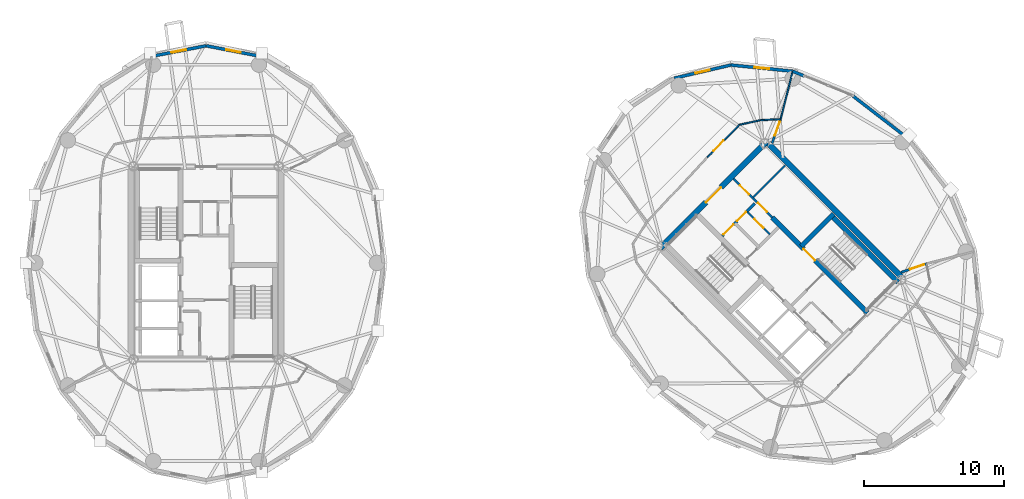
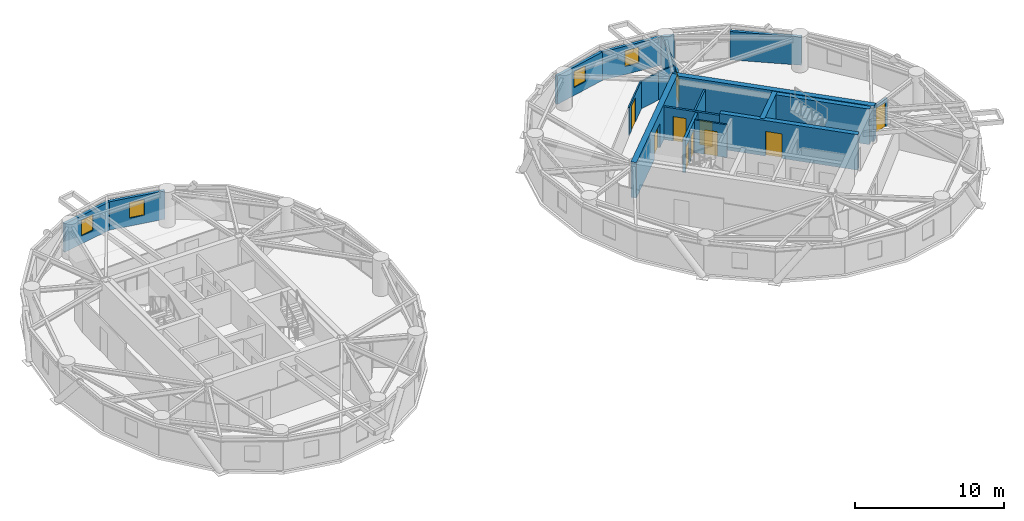
# One storey, part 11 of 14: 21 walls, 10 doors, 4 windows, 14 openings.
"""IFC4 building model written with IfcOpenShell, lengths in metres."""

from ifc_helpers import new_model, si_unit, direction, frame, frame_2d, origin, place, context, subcontext, project, spatial, rectangle, extrude, source, transform, mapped, material, layer, layer_set, type_object, element, fill, save


model = new_model("IFC4")

# Units and contexts
model_context = context("Model", 3, precision=1e-05, world=origin(), true_north=direction((0.0, 1.0)))
body_context = subcontext(model_context, "Body", "Model", "MODEL_VIEW")
ifc_project = project(units=[si_unit("LENGTHUNIT", "METRE"), si_unit("AREAUNIT", "SQUARE_METRE"), si_unit("VOLUMEUNIT", "CUBIC_METRE"), si_unit("PLANEANGLEUNIT", "RADIAN"), si_unit("MASSUNIT", "GRAM", prefix="KILO")], contexts=[model_context])

# Site, building, storey
site_placement = place(None, origin())
site = spatial("IfcSite", under=ifc_project, at=site_placement, CompositionType="ELEMENT")
building_placement = place(site_placement, origin())
building = spatial("IfcBuilding", under=site, at=building_placement, Name="Cununo Teusaquillo Station Towers", CompositionType="ELEMENT")
storey_placement = place(building_placement, frame((0.0, 0.0, 202.47998046875)))
storey = spatial("IfcBuildingStorey", under=building, at=storey_placement, Name="L64", CompositionType="ELEMENT", Elevation=202.47998046875)

# Wall, opening, door
ifc_material_1 = material(Name="Concrete C50/60", Category="concrete")
ifc_layer_1 = layer(ifc_material_1, 0.35009765625)
ifc_layer_set_1 = layer_set([ifc_layer_1], Name="Concrete C50/60")
wall_type_1 = type_object("IfcWallType", Name="WL-CORE-350", PredefinedType="SHEAR", material=ifc_layer_set_1)
wall_1_placement = place(storey_placement, frame((63.627197265625, 20.939697265625, 0.0), z_axis=(0.0, 0.0, 1.0), x_axis=(-0.707119496762, 0.707094065383, 0.0)))
wall_1 = element("IfcWall", 1, at=wall_1_placement, inside=storey, type_object=wall_type_1, Name="L64 Tower B Core Shear Wall IE", PredefinedType="SHEAR", context=body_context, shape_type="SweptSolid", body=[
    extrude(rectangle(XDim=9.60009765625, YDim=0.35009765625, at=frame_2d((4.800048828125, 0.0))), origin(), (0.0, 0.0, 1.0), 2.909912109375),
])
shared_shape_1 = source(origin(), body_context, "Body", "SweptSolid", [
    extrude(rectangle(XDim=1.14990234375, YDim=2.02001953125, at=frame_2d((0.574951171875, 1.010009765625))), frame((0.0, 0.18505859375, 0.0), z_axis=(0.0, -1.0, 0.0), x_axis=(1.0, 0.0, 0.0)), (0.0, 0.0, 1.0), 0.3701171875),
])
opening_1_placement = place(wall_1_placement, frame((5.280029296875, 0.0, 0.0)))
opening_1 = element("IfcOpeningElement", 2, at=opening_1_placement, cuts=wall_1, Name="Opening D-ST1", PredefinedType="OPENING", context=body_context, shape_type="MappedRepresentation", body=[
    mapped(shared_shape_1, transform((0.0, 0.0, 0.0), x_axis=(1.0, 0.0, 0.0), y_axis=(0.0, 1.0, 0.0), z_axis=(0.0, 0.0, 1.0), scale=1.0)),
])
ifc_material_2 = material(Name="Galvanised fire-rated hollow steel door assembly", Category="steel")
door_type_1 = type_object("IfcDoorType", Name="DR-STAIR-1150", OperationType="NOTDEFINED", PredefinedType="DOOR", material=ifc_material_2)
shared_shape_2 = source(origin(), body_context, "Body", "SweptSolid", [
    extrude(rectangle(XDim=1.14990234375, YDim=2.02001953125, at=frame_2d((0.574951171875, 1.010009765625))), frame((0.0, 0.02490234375, 0.0), z_axis=(0.0, -1.0, 0.0), x_axis=(1.0, 0.0, 0.0)), (0.0, 0.0, 1.0), 0.050048828125),
])
door_1_placement = place(opening_1_placement, origin())
door_1 = element("IfcDoor", 3, at=door_1_placement, inside=storey, type_object=door_type_1, Name="L64 Tower B Exit Stair 2 Fire Door", OperationType="SINGLE_SWING_RIGHT", OverallHeight=2.02001953125, OverallWidth=1.14990234375, PredefinedType="DOOR", context=body_context, shape_type="MappedRepresentation", body=[
    mapped(shared_shape_2, transform((0.0, 0.0, 0.0), x_axis=(1.0, 0.0, 0.0), y_axis=(0.0, 1.0, 0.0), z_axis=(0.0, 0.0, 1.0), scale=1.0)),
])
fill(opening_1, door_1)

# Walls
wall_2_placement = place(storey_placement, frame((65.81201171875, 23.124755859375, 0.0), z_axis=(0.0, 0.0, 1.0), x_axis=(-0.707106781187, 0.707106781187, 0.0)))
element("IfcWall", 4, at=wall_2_placement, inside=storey, type_object=wall_type_1, Name="L64 Tower B Core Shear Wall ST2E", PredefinedType="SHEAR", context=body_context, shape_type="SweptSolid", body=[
    extrude(rectangle(XDim=6.695068359375, YDim=0.35009765625, at=frame_2d((3.34765625, 0.0))), origin(), (0.0, 0.0, 1.0), 2.909912109375),
])
wall_3_placement = place(storey_placement, frame((58.89306640625, 25.673828125, 0.0), z_axis=(0.0, 0.0, 1.0), x_axis=(0.707106781187, 0.707106781187, 0.0)))
element("IfcWall", 5, at=wall_3_placement, inside=storey, type_object=wall_type_1, Name="L64 Tower B Core Shear Wall ST2N", PredefinedType="SHEAR", context=body_context, shape_type="SweptSolid", body=[
    extrude(rectangle(XDim=3.284912109375, YDim=0.35009765625, at=frame_2d((1.642578125, 0.0))), origin(), (0.0, 0.0, 1.0), 2.909912109375),
])
ifc_material_3 = material(Name="Concrete C50/60", Category="concrete")
ifc_layer_2 = layer(ifc_material_3, 0.39990234375)
ifc_layer_set_2 = layer_set([ifc_layer_2], Name="Concrete C50/60")
wall_type_2 = type_object("IfcWallType", Name="WL-CORE-400", PredefinedType="SHEAR", material=ifc_layer_set_2)
wall_4_placement = place(storey_placement, frame((66.26806640625, 23.2978515625, 0.0), z_axis=(0.0, 0.0, 1.0), x_axis=(-0.707106781187, 0.707106781187, 0.0)))
element("IfcWall", 6, at=wall_4_placement, inside=storey, type_object=wall_type_2, Name="L64 Tower B Core Shear Wall E", PredefinedType="SHEAR", context=body_context, shape_type="SweptSolid", body=[
    extrude(rectangle(XDim=14.10009765625, YDim=0.39990234375, at=frame_2d((7.050048828125, 0.0))), origin(), (0.0, 0.0, 1.0), 2.909912109375),
])

# Wall, opening, door
wall_5_placement = place(storey_placement, frame((48.873291015625, 25.560791015625, 0.0), z_axis=(0.0, 0.0, 1.0), x_axis=(0.707106781187, 0.707106781187, 0.0)))
wall_5 = element("IfcWall", 7, at=wall_5_placement, inside=storey, type_object=wall_type_2, Name="L64 Tower B Core Shear Wall N", PredefinedType="SHEAR", context=body_context, shape_type="SweptSolid", body=[
    extrude(rectangle(XDim=10.69970703125, YDim=0.39990234375, at=frame_2d((5.349853515625, 0.0))), origin(), (0.0, 0.0, 1.0), 2.909912109375),
])
shared_shape_3 = source(origin(), body_context, "Body", "SweptSolid", [
    extrude(rectangle(XDim=1.5, YDim=2.02001953125, at=frame_2d((0.75, 1.010009765625))), frame((0.0, 0.2099609375, 0.0), z_axis=(0.0, -1.0, 0.0), x_axis=(1.0, 0.0, 0.0)), (0.0, 0.0, 1.0), 0.419921875),
])
opening_2_placement = place(wall_5_placement, frame((4.60009765625, 0.0, 0.0)))
opening_2 = element("IfcOpeningElement", 8, at=opening_2_placement, cuts=wall_5, Name="Opening D-LB1", PredefinedType="OPENING", context=body_context, shape_type="MappedRepresentation", body=[
    mapped(shared_shape_3, transform((0.0, 0.0, 0.0), x_axis=(1.0, 0.0, 0.0), y_axis=(0.0, 1.0, 0.0), z_axis=(0.0, 0.0, 1.0), scale=1.0)),
])
ifc_material_4 = material(Name="Galvanised fire-rated hollow steel door assembly", Category="steel")
door_type_2 = type_object("IfcDoorType", Name="DR-LOBBY-1500", OperationType="DOUBLE_DOOR_SINGLE_SWING", PredefinedType="DOOR", material=ifc_material_4)
shared_shape_4 = source(origin(), body_context, "Body", "SweptSolid", [
    extrude(rectangle(XDim=1.5, YDim=2.02001953125, at=frame_2d((0.75, 1.010009765625))), frame((0.0, 0.02490234375, 0.0), z_axis=(0.0, -1.0, 0.0), x_axis=(1.0, 0.0, 0.0)), (0.0, 0.0, 1.0), 0.050048828125),
])
door_2_placement = place(opening_2_placement, origin())
door_2 = element("IfcDoor", 9, at=door_2_placement, inside=storey, type_object=door_type_2, Name="L64 Tower B North Core Lift Lobby Door", OperationType="DOUBLE_DOOR_SINGLE_SWING", OverallHeight=2.02001953125, OverallWidth=1.5, PredefinedType="DOOR", context=body_context, shape_type="MappedRepresentation", body=[
    mapped(shared_shape_4, transform((0.0, 0.0, 0.0), x_axis=(1.0, 0.0, 0.0), y_axis=(0.0, 1.0, 0.0), z_axis=(0.0, 0.0, 1.0), scale=1.0)),
])
fill(opening_2, door_2)

# Wall, opening, window
ifc_material_5 = material(Name="Precast concrete C40/50", Category="concrete")
ifc_layer_3 = layer(ifc_material_5, 0.219970703125)
ifc_layer_set_3 = layer_set([ifc_layer_3], Name="Precast concrete C40/50")
wall_type_3 = type_object("IfcWallType", Name="WL-EXT-220", PredefinedType="SOLIDWALL", material=ifc_layer_set_3)
wall_6_placement = place(storey_placement, frame((16.5, 39.969970703125, 0.0), z_axis=(0.0, 0.0, 1.0), x_axis=(0.981700307484, -0.190432419211, 0.0)))
wall_6 = element("IfcWall", 10, at=wall_6_placement, inside=storey, type_object=wall_type_3, Name="L64 Tower A Exterior Facade Wall C04", PredefinedType="SOLIDWALL", context=body_context, shape_type="SweptSolid", body=[
    extrude(rectangle(XDim=3.9755859375, YDim=0.219970703125, at=frame_2d((1.98779296875, 0.0))), origin(), (0.0, 0.0, 1.0), 2.322021484375),
])
shared_shape_5 = source(origin(), body_context, "Body", "SweptSolid", [
    extrude(rectangle(XDim=1.050048828125, YDim=1.300048828125, at=frame_2d((0.52490234375, 0.64990234375))), frame((0.0, 0.119873046875, 0.0), z_axis=(0.0, -1.0, 0.0), x_axis=(1.0, 0.0, 0.0)), (0.0, 0.0, 1.0), 0.239990234375),
])
opening_3_placement = place(wall_6_placement, frame((1.462890625, 0.0, 0.64990234375)))
opening_3 = element("IfcOpeningElement", 11, at=opening_3_placement, cuts=wall_6, Name="Opening WN-04", PredefinedType="OPENING", context=body_context, shape_type="MappedRepresentation", body=[
    mapped(shared_shape_5, transform((0.0, 0.0, 0.0), x_axis=(1.0, 0.0, 0.0), y_axis=(0.0, 1.0, 0.0), z_axis=(0.0, 0.0, 1.0), scale=1.0)),
])
ifc_material_6 = material(Name="Operable acoustic tinted low-E double glazing", Category="glass")
window_type = type_object("IfcWindowType", Name="WIN-BAL-1050", PartitioningType="SINGLE_PANEL", PredefinedType="WINDOW", material=ifc_material_6)
shared_shape_6 = source(origin(), body_context, "Body", "SweptSolid", [
    extrude(rectangle(XDim=1.050048828125, YDim=1.300048828125, at=frame_2d((0.52490234375, 0.64990234375))), frame((0.0, 0.030029296875, 0.0), z_axis=(0.0, -1.0, 0.0), x_axis=(1.0, 0.0, 0.0)), (0.0, 0.0, 1.0), 0.06005859375),
])
window_1_placement = place(opening_3_placement, origin())
window_1 = element("IfcWindow", 12, at=window_1_placement, inside=storey, type_object=window_type, Name="L64 Tower A Facade Window C04", OverallHeight=1.300048828125, OverallWidth=1.050048828125, PartitioningType="SINGLE_PANEL", PredefinedType="WINDOW", context=body_context, shape_type="MappedRepresentation", body=[
    mapped(shared_shape_6, transform((0.0, 0.0, 0.0), x_axis=(1.0, 0.0, 0.0), y_axis=(0.0, 1.0, 0.0), z_axis=(0.0, 0.0, 1.0), scale=1.0)),
])
fill(opening_3, window_1)

wall_7_placement = place(storey_placement, frame((12.59716796875, 39.212890625, 0.0), z_axis=(0.0, 0.0, 1.0), x_axis=(0.981700307484, 0.190432419211, 0.0)))
wall_7 = element("IfcWall", 13, at=wall_7_placement, inside=storey, type_object=wall_type_3, Name="L64 Tower A Exterior Facade Wall C05", PredefinedType="SOLIDWALL", context=body_context, shape_type="SweptSolid", body=[
    extrude(rectangle(XDim=3.9755859375, YDim=0.219970703125, at=frame_2d((1.98779296875, 0.0))), origin(), (0.0, 0.0, 1.0), 2.322021484375),
])
opening_4_placement = place(wall_7_placement, frame((1.462890625, 0.0, 0.64990234375)))
opening_4 = element("IfcOpeningElement", 14, at=opening_4_placement, cuts=wall_7, Name="Opening WN-04", PredefinedType="OPENING", context=body_context, shape_type="MappedRepresentation", body=[
    mapped(shared_shape_5, transform((0.0, 0.0, 0.0), x_axis=(1.0, 0.0, 0.0), y_axis=(0.0, 1.0, 0.0), z_axis=(0.0, 0.0, 1.0), scale=1.0)),
])
window_2_placement = place(opening_4_placement, origin())
window_2 = element("IfcWindow", 15, at=window_2_placement, inside=storey, type_object=window_type, Name="L64 Tower A Facade Window C05", OverallHeight=1.300048828125, OverallWidth=1.050048828125, PartitioningType="SINGLE_PANEL", PredefinedType="WINDOW", context=body_context, shape_type="MappedRepresentation", body=[
    mapped(shared_shape_6, transform((0.0, 0.0, 0.0), x_axis=(1.0, 0.0, 0.0), y_axis=(0.0, 1.0, 0.0), z_axis=(0.0, 0.0, 1.0), scale=1.0)),
])
fill(opening_4, window_2)

# Walls
wall_8_placement = place(storey_placement, frame((62.61328125, 36.373779296875, 0.0), z_axis=(0.0, 0.0, 1.0), x_axis=(0.791998462147, -0.610523083886, 0.0)))
element("IfcWall", 16, at=wall_8_placement, inside=storey, type_object=wall_type_3, Name="L64 Tower B Exterior Facade Wall C00", PredefinedType="SOLIDWALL", context=body_context, shape_type="SweptSolid", body=[
    extrude(rectangle(XDim=4.8203125, YDim=0.219970703125, at=frame_2d((2.41015625, 0.0))), origin(), (0.0, 0.0, 1.0), 2.322021484375),
])
wall_9_placement = place(storey_placement, frame((58.29541015625, 38.15478515625, 0.0), z_axis=(0.0, 0.0, 1.0), x_axis=(0.924515260676, -0.381145028536, 0.0)))
element("IfcWall", 17, at=wall_9_placement, inside=storey, type_object=wall_type_3, Name="L64 Tower B Column Pier Cladding Wall C01-PA", PredefinedType="SOLIDWALL", context=body_context, shape_type="SweptSolid", body=[
    extrude(rectangle(XDim=0.869873046875, YDim=0.219970703125, at=frame_2d((0.43505859375, 0.0))), origin(), (0.0, 0.0, 1.0), 2.322021484375),
])

# Wall, opening, window
wall_10_placement = place(storey_placement, frame((53.899658203125, 38.59912109375, 0.0), z_axis=(0.0, 0.0, 1.0), x_axis=(0.994929930991, -0.100570534541, 0.0)))
wall_10 = element("IfcWall", 18, at=wall_10_placement, inside=storey, type_object=wall_type_3, Name="L64 Tower B Exterior Facade Wall C02", PredefinedType="SOLIDWALL", context=body_context, shape_type="SweptSolid", body=[
    extrude(rectangle(XDim=4.418212890625, YDim=0.219970703125, at=frame_2d((2.208984375, 0.0))), origin(), (0.0, 0.0, 1.0), 2.322021484375),
])
opening_5_placement = place(wall_10_placement, frame((1.68408203125, 0.0, 0.64990234375)))
opening_5 = element("IfcOpeningElement", 19, at=opening_5_placement, cuts=wall_10, Name="Opening WN-04", PredefinedType="OPENING", context=body_context, shape_type="MappedRepresentation", body=[
    mapped(shared_shape_5, transform((0.0, 0.0, 0.0), x_axis=(1.0, 0.0, 0.0), y_axis=(0.0, 1.0, 0.0), z_axis=(0.0, 0.0, 1.0), scale=1.0)),
])
window_3_placement = place(opening_5_placement, origin())
window_3 = element("IfcWindow", 20, at=window_3_placement, inside=storey, type_object=window_type, Name="L64 Tower B Facade Window C02", OverallHeight=1.300048828125, OverallWidth=1.050048828125, PartitioningType="SINGLE_PANEL", PredefinedType="WINDOW", context=body_context, shape_type="MappedRepresentation", body=[
    mapped(shared_shape_6, transform((0.0, 0.0, 0.0), x_axis=(1.0, 0.0, 0.0), y_axis=(0.0, 1.0, 0.0), z_axis=(0.0, 0.0, 1.0), scale=1.0)),
])
fill(opening_5, window_3)

wall_11_placement = place(storey_placement, frame((49.856201171875, 37.663330078125, 0.0), z_axis=(0.0, 0.0, 1.0), x_axis=(0.974249228678, 0.225473813158, 0.0)))
wall_11 = element("IfcWall", 21, at=wall_11_placement, inside=storey, type_object=wall_type_3, Name="L64 Tower B Exterior Facade Wall C03", PredefinedType="SOLIDWALL", context=body_context, shape_type="SweptSolid", body=[
    extrude(rectangle(XDim=4.150390625, YDim=0.219970703125, at=frame_2d((2.0751953125, 0.0))), origin(), (0.0, 0.0, 1.0), 2.322021484375),
])
opening_6_placement = place(wall_11_placement, frame((1.550048828125, 0.0, 0.64990234375)))
opening_6 = element("IfcOpeningElement", 22, at=opening_6_placement, cuts=wall_11, Name="Opening WN-04", PredefinedType="OPENING", context=body_context, shape_type="MappedRepresentation", body=[
    mapped(shared_shape_5, transform((0.0, 0.0, 0.0), x_axis=(1.0, 0.0, 0.0), y_axis=(0.0, 1.0, 0.0), z_axis=(0.0, 0.0, 1.0), scale=1.0)),
])
window_4_placement = place(opening_6_placement, origin())
window_4 = element("IfcWindow", 23, at=window_4_placement, inside=storey, type_object=window_type, Name="L64 Tower B Facade Window C03", OverallHeight=1.300048828125, OverallWidth=1.050048828125, PartitioningType="SINGLE_PANEL", PredefinedType="WINDOW", context=body_context, shape_type="MappedRepresentation", body=[
    mapped(shared_shape_6, transform((0.0, 0.0, 0.0), x_axis=(1.0, 0.0, 0.0), y_axis=(0.0, 1.0, 0.0), z_axis=(0.0, 0.0, 1.0), scale=1.0)),
])
fill(opening_6, window_4)

# Walls
ifc_material_7 = material(Name="Fire-rated gypsum plasterboard partition assembly", Category="gypsum")
ifc_layer_4 = layer(ifc_material_7, 0.10009765625)
ifc_layer_set_4 = layer_set([ifc_layer_4], Name="Fire-rated gypsum plasterboard partition assembly")
wall_type_4 = type_object("IfcWallType", Name="WL-PART-100", PredefinedType="MOVABLE", material=ifc_layer_set_4)
wall_12_placement = place(storey_placement, frame((57.4404296875, 34.743896484375, 0.0), z_axis=(0.0, 0.0, 1.0), x_axis=(-0.998578025565, -0.053309725738, 0.0)))
element("IfcWall", 24, at=wall_12_placement, inside=storey, type_object=wall_type_4, Name="L64 Tower B Corridor Ring Wall C02", PredefinedType="MOVABLE", context=body_context, shape_type="SweptSolid", body=[
    extrude(rectangle(XDim=1.433349609375, YDim=0.10009765625, at=frame_2d((0.716796875, 0.0))), origin(), (0.0, 0.0, 1.0), 2.322021484375),
])
wall_13_placement = place(storey_placement, frame((56.009033203125, 34.66748046875, 0.0), z_axis=(0.0, 0.0, 1.0), x_axis=(-0.977625498152, -0.210353001795, 0.0)))
element("IfcWall", 25, at=wall_13_placement, inside=storey, type_object=wall_type_4, Name="L64 Tower B Corridor Ring Wall C03", PredefinedType="MOVABLE", context=body_context, shape_type="SweptSolid", body=[
    extrude(rectangle(XDim=1.537841796875, YDim=0.10009765625, at=frame_2d((0.76904296875, 0.0))), origin(), (0.0, 0.0, 1.0), 2.255126953125),
])

# Wall, opening, door
wall_14_placement = place(storey_placement, frame((54.505615234375, 34.343994140625, 0.0), z_axis=(0.0, 0.0, 1.0), x_axis=(-0.703053402247, -0.711137056824, 0.0)))
wall_14 = element("IfcWall", 26, at=wall_14_placement, inside=storey, type_object=wall_type_4, Name="L64 Tower B Corridor Ring Wall C04", PredefinedType="MOVABLE", context=body_context, shape_type="SweptSolid", body=[
    extrude(rectangle(XDim=3.26171875, YDim=0.10009765625, at=frame_2d((1.630859375, 0.0))), origin(), (0.0, 0.0, 1.0), 2.322021484375),
])
shared_shape_7 = source(origin(), body_context, "Body", "SweptSolid", [
    extrude(rectangle(XDim=1.050048828125, YDim=2.014892578125, at=frame_2d((0.52490234375, 1.00732421875))), frame((0.0, 0.06005859375, 0.0), z_axis=(0.0, -1.0, 0.0), x_axis=(1.0, 0.0, 0.0)), (0.0, 0.0, 1.0), 0.1201171875),
])
opening_7_placement = place(wall_14_placement, frame((1.598876953125, 0.0, 0.0)))
opening_7 = element("IfcOpeningElement", 27, at=opening_7_placement, cuts=wall_14, Name="Opening D-SU1", PredefinedType="OPENING", context=body_context, shape_type="MappedRepresentation", body=[
    mapped(shared_shape_7, transform((0.0, 0.0, 0.0), x_axis=(1.0, 0.0, 0.0), y_axis=(0.0, 1.0, 0.0), z_axis=(0.0, 0.0, 1.0), scale=1.0)),
])
ifc_material_8 = material(Name="Acoustic solid-core hardwood leaf assembly", Category="wood")
door_type_3 = type_object("IfcDoorType", Name="DR-SUITE-1050", OperationType="NOTDEFINED", PredefinedType="DOOR", material=ifc_material_8)
shared_shape_8 = source(origin(), body_context, "Body", "SweptSolid", [
    extrude(rectangle(XDim=1.050048828125, YDim=2.014892578125, at=frame_2d((0.52490234375, 1.00732421875))), frame((0.0, 0.02490234375, 0.0), z_axis=(0.0, -1.0, 0.0), x_axis=(1.0, 0.0, 0.0)), (0.0, 0.0, 1.0), 0.050048828125),
])
door_3_placement = place(opening_7_placement, origin())
door_3 = element("IfcDoor", 28, at=door_3_placement, inside=storey, type_object=door_type_3, Name="L64 Tower B Family Office Investment Landscape Hall Entrance Door", OperationType="SINGLE_SWING_RIGHT", OverallHeight=2.014892578125, OverallWidth=1.050048828125, PredefinedType="DOOR", context=body_context, shape_type="MappedRepresentation", body=[
    mapped(shared_shape_8, transform((0.0, 0.0, 0.0), x_axis=(1.0, 0.0, 0.0), y_axis=(0.0, 1.0, 0.0), z_axis=(0.0, 0.0, 1.0), scale=1.0)),
])
fill(opening_7, door_3)

# Wall
wall_15_placement = place(storey_placement, frame((57.4404296875, 34.743896484375, 0.0), z_axis=(0.0, 0.0, 1.0), x_axis=(0.243619816457, 0.969870808422, 0.0)))
element("IfcWall", 29, at=wall_15_placement, inside=storey, type_object=wall_type_4, Name="L64 Tower B Radial Suite Partition R01", PredefinedType="MOVABLE", context=body_context, shape_type="SweptSolid", body=[
    extrude(rectangle(XDim=3.496337890625, YDim=0.10009765625, at=frame_2d((1.748046875, 0.0))), origin(), (0.0, 0.0, 1.0), 2.322021484375),
])

# Wall, opening, door
ifc_material_9 = material(Name="Fire-rated gypsum plasterboard partition assembly", Category="gypsum")
ifc_layer_5 = layer(ifc_material_9, 0.125)
ifc_layer_set_5 = layer_set([ifc_layer_5], Name="Fire-rated gypsum plasterboard partition assembly")
wall_type_5 = type_object("IfcWallType", Name="WL-PART-125", PredefinedType="PARTITIONING", material=ifc_layer_set_5)
wall_16_placement = place(storey_placement, frame((56.672607421875, 26.529296875, 0.0), z_axis=(0.0, 0.0, 1.0), x_axis=(-0.707052764397, 0.70716079385, 0.0)))
wall_16 = element("IfcWall", 30, at=wall_16_placement, inside=storey, type_object=wall_type_5, Name="L64 Tower B Core Vertical Split Wall", PredefinedType="PARTITIONING", context=body_context, shape_type="SweptSolid", body=[
    extrude(rectangle(XDim=2.260009765625, YDim=0.125, at=frame_2d((1.1298828125, 0.0))), origin(), (0.0, 0.0, 1.0), 2.68505859375),
])
shared_shape_9 = source(origin(), body_context, "Body", "SweptSolid", [
    extrude(rectangle(XDim=0.89990234375, YDim=2.0048828125, at=frame_2d((0.449951171875, 1.00244140625))), frame((0.0, 0.072509765625, 0.0), z_axis=(0.0, -1.0, 0.0), x_axis=(1.0, 0.0, 0.0)), (0.0, 0.0, 1.0), 0.14501953125),
])
opening_8_placement = place(wall_16_placement, frame((0.64990234375, 0.0, 0.0)))
opening_8 = element("IfcOpeningElement", 31, at=opening_8_placement, cuts=wall_16, Name="Opening D-SR1", PredefinedType="OPENING", context=body_context, shape_type="MappedRepresentation", body=[
    mapped(shared_shape_9, transform((0.0, 0.0, 0.0), x_axis=(1.0, 0.0, 0.0), y_axis=(0.0, 1.0, 0.0), z_axis=(0.0, 0.0, 1.0), scale=1.0)),
])
ifc_material_10 = material(Name="Galvanised fire-rated hollow steel door assembly", Category="steel")
door_type_4 = type_object("IfcDoorType", Name="DR-STORE-900", OperationType="NOTDEFINED", PredefinedType="DOOR", material=ifc_material_10)
shared_shape_10 = source(origin(), body_context, "Body", "SweptSolid", [
    extrude(rectangle(XDim=0.89990234375, YDim=2.0048828125, at=frame_2d((0.449951171875, 1.00244140625))), frame((0.0, 0.02490234375, 0.0), z_axis=(0.0, -1.0, 0.0), x_axis=(1.0, 0.0, 0.0)), (0.0, 0.0, 1.0), 0.050048828125),
])
door_4_placement = place(opening_8_placement, origin())
door_4 = element("IfcDoor", 32, at=door_4_placement, inside=storey, type_object=door_type_4, Name="L64 Tower B Core Electrical Room Door", OperationType="SINGLE_SWING_LEFT", OverallHeight=2.0048828125, OverallWidth=0.89990234375, PredefinedType="DOOR", context=body_context, shape_type="MappedRepresentation", body=[
    mapped(shared_shape_10, transform((0.0, 0.0, 0.0), x_axis=(1.0, 0.0, 0.0), y_axis=(0.0, 1.0, 0.0), z_axis=(0.0, 0.0, 1.0), scale=1.0)),
])
fill(opening_8, door_4)

# Wall
wall_17_placement = place(storey_placement, frame((55.49169921875, 29.1669921875, 0.0), z_axis=(0.0, 0.0, 1.0), x_axis=(0.707144688645, 0.707068871696, 0.0)))
element("IfcWall", 33, at=wall_17_placement, inside=storey, type_object=wall_type_5, Name="L64 Tower B Reclaimed Bay Divider Wall", PredefinedType="PARTITIONING", context=body_context, shape_type="SweptSolid", body=[
    extrude(rectangle(XDim=3.22021484375, YDim=0.125, at=frame_2d((1.610107421875, 0.0))), origin(), (0.0, 0.0, 1.0), 2.221923828125),
])

# Wall, openings, doors
ifc_material_11 = material(Name="Fire-rated gypsum plasterboard partition assembly", Category="gypsum")
ifc_layer_6 = layer(ifc_material_11, 0.159912109375)
ifc_layer_set_6 = layer_set([ifc_layer_6], Name="Fire-rated gypsum plasterboard partition assembly")
wall_type_6 = type_object("IfcWallType", Name="WL-PART-160", PredefinedType="PARTITIONING", material=ifc_layer_set_6)
wall_18_placement = place(storey_placement, frame((56.8388671875, 27.727783203125, 0.0), z_axis=(0.0, 0.0, 1.0), x_axis=(-0.707106781187, 0.707106781187, 0.0)))
wall_18 = element("IfcWall", 34, at=wall_18_placement, inside=storey, type_object=wall_type_6, Name="L64 Tower B Reclaimed Core Bay Entry Wall", PredefinedType="PARTITIONING", context=body_context, shape_type="SweptSolid", body=[
    extrude(rectangle(XDim=3.900146484375, YDim=0.159912109375, at=frame_2d((1.9501953125, 0.0))), origin(), (0.0, 0.0, 1.0), 2.68505859375),
])
shared_shape_11 = source(origin(), body_context, "Body", "SweptSolid", [
    extrude(rectangle(XDim=0.89990234375, YDim=2.0048828125, at=frame_2d((0.449951171875, 1.00244140625))), frame((0.0, 0.08984375, 0.0), z_axis=(0.0, -1.0, 0.0), x_axis=(1.0, 0.0, 0.0)), (0.0, 0.0, 1.0), 0.179931640625),
])
opening_9_placement = place(wall_18_placement, frame((0.550048828125, 0.0, 0.0)))
opening_9 = element("IfcOpeningElement", 35, at=opening_9_placement, cuts=wall_18, Name="Opening D-IN1", PredefinedType="OPENING", context=body_context, shape_type="MappedRepresentation", body=[
    mapped(shared_shape_11, transform((0.0, 0.0, 0.0), x_axis=(1.0, 0.0, 0.0), y_axis=(0.0, 1.0, 0.0), z_axis=(0.0, 0.0, 1.0), scale=1.0)),
])
opening_10_placement = place(wall_18_placement, frame((2.35009765625, 0.0, 0.0)))
opening_10 = element("IfcOpeningElement", 36, at=opening_10_placement, cuts=wall_18, Name="Opening D-IN1", PredefinedType="OPENING", context=body_context, shape_type="MappedRepresentation", body=[
    mapped(shared_shape_11, transform((0.0, 0.0, 0.0), x_axis=(1.0, 0.0, 0.0), y_axis=(0.0, 1.0, 0.0), z_axis=(0.0, 0.0, 1.0), scale=1.0)),
])
ifc_material_12 = material(Name="Acoustic solid-core hardwood leaf assembly", Category="wood")
door_type_5 = type_object("IfcDoorType", Name="DR-INT-900", OperationType="NOTDEFINED", PredefinedType="DOOR", material=ifc_material_12)
door_5_placement = place(opening_9_placement, origin())
door_5 = element("IfcDoor", 37, at=door_5_placement, inside=storey, type_object=door_type_5, Name="L64 Tower B Reclaimed Core Study Door", OperationType="SINGLE_SWING_RIGHT", OverallHeight=2.0048828125, OverallWidth=0.89990234375, PredefinedType="DOOR", context=body_context, shape_type="MappedRepresentation", body=[
    mapped(shared_shape_10, transform((0.0, 0.0, 0.0), x_axis=(1.0, 0.0, 0.0), y_axis=(0.0, 1.0, 0.0), z_axis=(0.0, 0.0, 1.0), scale=1.0)),
])
fill(opening_9, door_5)
door_6_placement = place(opening_10_placement, origin())
door_6 = element("IfcDoor", 38, at=door_6_placement, inside=storey, type_object=door_type_5, Name="L64 Tower B Reclaimed Core Pantry Door", OperationType="SINGLE_SWING_LEFT", OverallHeight=2.0048828125, OverallWidth=0.89990234375, PredefinedType="DOOR", context=body_context, shape_type="MappedRepresentation", body=[
    mapped(shared_shape_10, transform((0.0, 0.0, 0.0), x_axis=(1.0, 0.0, 0.0), y_axis=(0.0, 1.0, 0.0), z_axis=(0.0, 0.0, 1.0), scale=1.0)),
])
fill(opening_10, door_6)

# Wall, opening, door
wall_19_placement = place(storey_placement, frame((56.828125, 33.0205078125, 0.0), z_axis=(0.0, 0.0, 1.0), x_axis=(0.334788446034, 0.942293317605, 0.0)))
wall_19 = element("IfcWall", 39, at=wall_19_placement, inside=storey, type_object=wall_type_6, Name="L64 Tower B East Salon Corridor Portal Wall NE", PredefinedType="PARTITIONING", context=body_context, shape_type="SweptSolid", body=[
    extrude(rectangle(XDim=1.828857421875, YDim=0.159912109375, at=frame_2d((0.91455078125, 0.0))), origin(), (0.0, 0.0, 1.0), 2.255126953125),
])
shared_shape_12 = source(origin(), body_context, "Body", "SweptSolid", [
    extrude(rectangle(XDim=1.050048828125, YDim=2.014892578125, at=frame_2d((0.52490234375, 1.00732421875))), frame((0.0, 0.08984375, 0.0), z_axis=(0.0, -1.0, 0.0), x_axis=(1.0, 0.0, 0.0)), (0.0, 0.0, 1.0), 0.179931640625),
])
opening_11_placement = place(wall_19_placement, frame((0.578857421875, 0.0, 0.0)))
opening_11 = element("IfcOpeningElement", 40, at=opening_11_placement, cuts=wall_19, Name="Opening D-SU1", PredefinedType="OPENING", context=body_context, shape_type="MappedRepresentation", body=[
    mapped(shared_shape_12, transform((0.0, 0.0, 0.0), x_axis=(1.0, 0.0, 0.0), y_axis=(0.0, 1.0, 0.0), z_axis=(0.0, 0.0, 1.0), scale=1.0)),
])
door_7_placement = place(opening_11_placement, origin())
door_7 = element("IfcDoor", 41, at=door_7_placement, inside=storey, type_object=door_type_3, Name="L64 Tower B East Panorama Sky Salon Door NE", OperationType="SINGLE_SWING_RIGHT", OverallHeight=2.014892578125, OverallWidth=1.050048828125, PredefinedType="DOOR", context=body_context, shape_type="MappedRepresentation", body=[
    mapped(shared_shape_8, transform((0.0, 0.0, 0.0), x_axis=(1.0, 0.0, 0.0), y_axis=(0.0, 1.0, 0.0), z_axis=(0.0, 0.0, 1.0), scale=1.0)),
])
fill(opening_11, door_7)

wall_20_placement = place(storey_placement, frame((66.0205078125, 23.828125, 0.0), z_axis=(0.0, 0.0, 1.0), x_axis=(0.947522075691, 0.319690344049, 0.0)))
wall_20 = element("IfcWall", 42, at=wall_20_placement, inside=storey, type_object=wall_type_6, Name="L64 Tower B East Salon Corridor Portal Wall SE", PredefinedType="PARTITIONING", context=body_context, shape_type="SweptSolid", body=[
    extrude(rectangle(XDim=1.923583984375, YDim=0.159912109375, at=frame_2d((0.9619140625, 0.0))), origin(), (0.0, 0.0, 1.0), 2.255126953125),
])
opening_12_placement = place(wall_20_placement, frame((0.673583984375, 0.0, 0.0)))
opening_12 = element("IfcOpeningElement", 43, at=opening_12_placement, cuts=wall_20, Name="Opening D-SU1", PredefinedType="OPENING", context=body_context, shape_type="MappedRepresentation", body=[
    mapped(shared_shape_12, transform((0.0, 0.0, 0.0), x_axis=(1.0, 0.0, 0.0), y_axis=(0.0, 1.0, 0.0), z_axis=(0.0, 0.0, 1.0), scale=1.0)),
])
door_8_placement = place(opening_12_placement, origin())
door_8 = element("IfcDoor", 44, at=door_8_placement, inside=storey, type_object=door_type_3, Name="L64 Tower B East Panorama Sky Salon Door SE", OperationType="SINGLE_SWING_LEFT", OverallHeight=2.014892578125, OverallWidth=1.050048828125, PredefinedType="DOOR", context=body_context, shape_type="MappedRepresentation", body=[
    mapped(shared_shape_8, transform((0.0, 0.0, 0.0), x_axis=(1.0, 0.0, 0.0), y_axis=(0.0, 1.0, 0.0), z_axis=(0.0, 0.0, 1.0), scale=1.0)),
])
fill(opening_12, door_8)

# Wall, openings, doors
ifc_material_13 = material(Name="Fire-rated gypsum plasterboard partition assembly", Category="gypsum")
ifc_layer_7 = layer(ifc_material_13, 0.199951171875)
ifc_layer_set_7 = layer_set([ifc_layer_7], Name="Fire-rated gypsum plasterboard partition assembly")
wall_type_7 = type_object("IfcWallType", Name="WL-PART-200", PredefinedType="PARTITIONING", material=ifc_layer_set_7)
wall_21_placement = place(storey_placement, frame((53.264404296875, 26.416259765625, 0.0), z_axis=(0.0, 0.0, 1.0), x_axis=(0.707106781187, 0.707106781187, 0.0)))
wall_21 = element("IfcWall", 45, at=wall_21_placement, inside=storey, type_object=wall_type_7, Name="L64 Tower B North Lift Lobby South Fire Wall", PredefinedType="PARTITIONING", context=body_context, shape_type="SweptSolid", body=[
    extrude(rectangle(XDim=3.280029296875, YDim=0.199951171875, at=frame_2d((1.64013671875, 0.0))), origin(), (0.0, 0.0, 1.0), 2.68505859375),
])
shared_shape_13 = source(origin(), body_context, "Body", "SweptSolid", [
    extrude(rectangle(XDim=1.0, YDim=2.014892578125, at=frame_2d((0.5, 1.00732421875))), frame((0.0, 0.10986328125, 0.0), z_axis=(0.0, -1.0, 0.0), x_axis=(1.0, 0.0, 0.0)), (0.0, 0.0, 1.0), 0.219970703125),
])
opening_13_placement = place(wall_21_placement, frame((0.139892578125, 0.0, 0.0)))
opening_13 = element("IfcOpeningElement", 46, at=opening_13_placement, cuts=wall_21, Name="Opening D-AC1", PredefinedType="OPENING", context=body_context, shape_type="MappedRepresentation", body=[
    mapped(shared_shape_13, transform((0.0, 0.0, 0.0), x_axis=(1.0, 0.0, 0.0), y_axis=(0.0, 1.0, 0.0), z_axis=(0.0, 0.0, 1.0), scale=1.0)),
])
shared_shape_14 = source(origin(), body_context, "Body", "SweptSolid", [
    extrude(rectangle(XDim=0.89990234375, YDim=2.0048828125, at=frame_2d((0.449951171875, 1.00244140625))), frame((0.0, 0.10986328125, 0.0), z_axis=(0.0, -1.0, 0.0), x_axis=(1.0, 0.0, 0.0)), (0.0, 0.0, 1.0), 0.219970703125),
])
opening_14_placement = place(wall_21_placement, frame((1.5, 0.0, 0.0)))
opening_14 = element("IfcOpeningElement", 47, at=opening_14_placement, cuts=wall_21, Name="Opening D-SR1", PredefinedType="OPENING", context=body_context, shape_type="MappedRepresentation", body=[
    mapped(shared_shape_14, transform((0.0, 0.0, 0.0), x_axis=(1.0, 0.0, 0.0), y_axis=(0.0, 1.0, 0.0), z_axis=(0.0, 0.0, 1.0), scale=1.0)),
])
door_9_placement = place(opening_14_placement, origin())
door_9 = element("IfcDoor", 48, at=door_9_placement, inside=storey, type_object=door_type_4, Name="L64 Tower B Core Housekeeping Store Door", OperationType="SINGLE_SWING_RIGHT", OverallHeight=2.0048828125, OverallWidth=0.89990234375, PredefinedType="DOOR", context=body_context, shape_type="MappedRepresentation", body=[
    mapped(shared_shape_10, transform((0.0, 0.0, 0.0), x_axis=(1.0, 0.0, 0.0), y_axis=(0.0, 1.0, 0.0), z_axis=(0.0, 0.0, 1.0), scale=1.0)),
])
fill(opening_14, door_9)
ifc_material_14 = material(Name="Acoustic solid-core hardwood leaf assembly", Category="wood")
door_type_6 = type_object("IfcDoorType", Name="DR-ACC-1000", OperationType="NOTDEFINED", PredefinedType="DOOR", material=ifc_material_14)
shared_shape_15 = source(origin(), body_context, "Body", "SweptSolid", [
    extrude(rectangle(XDim=1.0, YDim=2.014892578125, at=frame_2d((0.5, 1.00732421875))), frame((0.0, 0.02490234375, 0.0), z_axis=(0.0, -1.0, 0.0), x_axis=(1.0, 0.0, 0.0)), (0.0, 0.0, 1.0), 0.050048828125),
])
door_10_placement = place(opening_13_placement, origin())
door_10 = element("IfcDoor", 49, at=door_10_placement, inside=storey, type_object=door_type_6, Name="L64 Tower B North Lift Lobby to Stair 1 Vestibule Door", OperationType="SINGLE_SWING_RIGHT", OverallHeight=2.014892578125, OverallWidth=1.0, PredefinedType="DOOR", context=body_context, shape_type="MappedRepresentation", body=[
    mapped(shared_shape_15, transform((0.0, 0.0, 0.0), x_axis=(1.0, 0.0, 0.0), y_axis=(0.0, 1.0, 0.0), z_axis=(0.0, 0.0, 1.0), scale=1.0)),
])
fill(opening_13, door_10)

save(model, "model.ifc")
